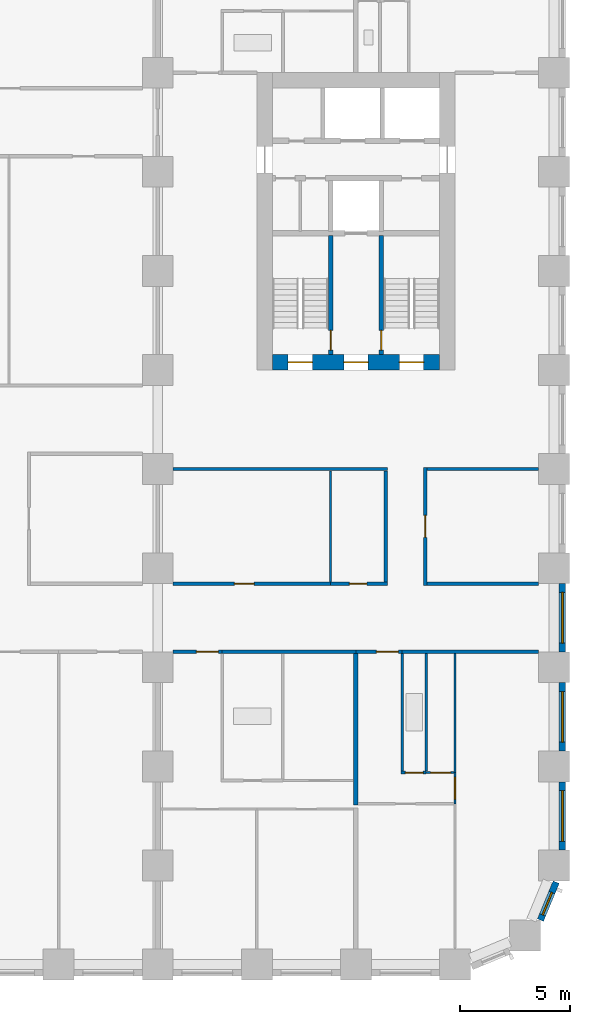
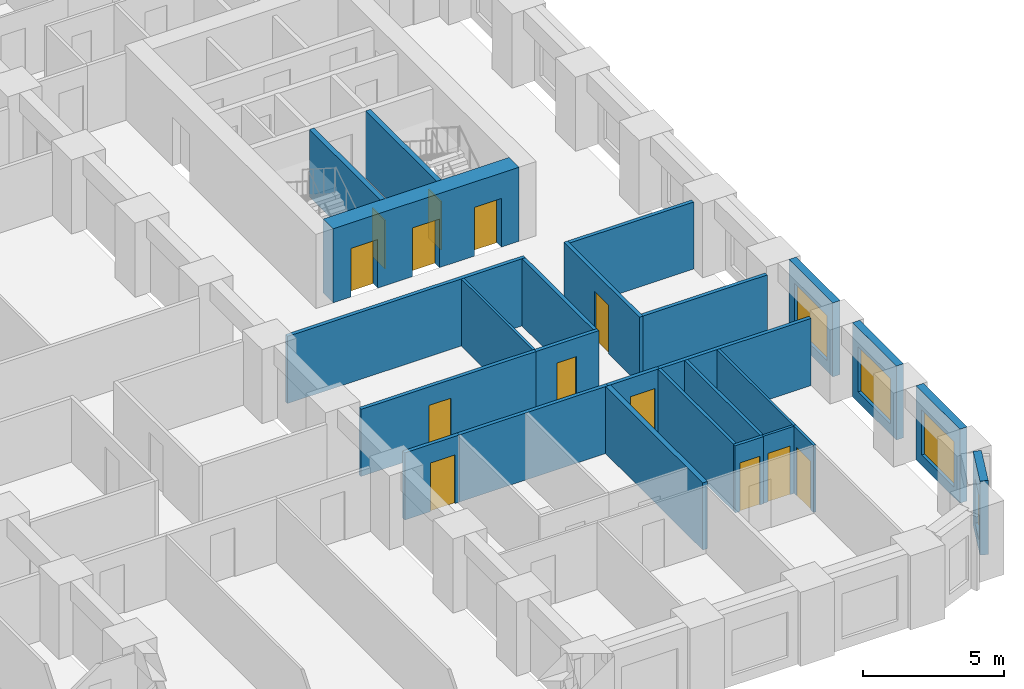
# One storey, part 5 of 12: 26 walls, 13 doors, 4 windows, 17 openings.
"""IFC4 building model written with IfcOpenShell, lengths in metres."""

from ifc_helpers import new_model, si_unit, direction, frame, frame_2d, origin, place, context, subcontext, project, spatial, rectangle, extrude, material, layer, layer_set, type_object, element, fill, save


model = new_model("IFC4")

# Units and contexts
model_context = context("Model", 3, precision=1e-05, world=origin(), true_north=direction((0.0, 1.0)))
body_context = subcontext(model_context, "Body", "Model", "MODEL_VIEW")
ifc_project = project(units=[si_unit("LENGTHUNIT", "METRE"), si_unit("AREAUNIT", "SQUARE_METRE"), si_unit("VOLUMEUNIT", "CUBIC_METRE"), si_unit("PLANEANGLEUNIT", "RADIAN"), si_unit("MASSUNIT", "GRAM", prefix="KILO")], contexts=[model_context])

# Site, building, storey
site_placement = place(None, origin())
site = spatial("IfcSite", under=ifc_project, at=site_placement, CompositionType="ELEMENT")
building_placement = place(site_placement, origin())
building = spatial("IfcBuilding", under=site, at=building_placement, Name="Girih Gate Residences", CompositionType="ELEMENT")
storey_placement = place(building_placement, frame((0.0, 0.0, 36.800048828125)))
storey = spatial("IfcBuildingStorey", under=building, at=storey_placement, Name="L08", CompositionType="ELEMENT", Elevation=36.800048828125)

# Wall
ifc_material_1 = material(Name="Gypsum board on steel studs", Category="steel")
ifc_layer_1 = layer(ifc_material_1, 0.14990234375)
ifc_layer_set_1 = layer_set([ifc_layer_1], Name="Compartment wall 150 mm")
wall_type_1 = type_object("IfcWallType", Name="Compartment wall 150 mm", PredefinedType="PARTITIONING", material=ifc_layer_set_1)
wall_1_placement = place(storey_placement, frame((42.60009765625, 14.199951171875, 0.0), z_axis=(0.0, 0.0, 1.0), x_axis=(1.0, 0.0, 0.0)))
element("IfcWall", 1, at=wall_1_placement, inside=storey, type_object=wall_type_1, Name="L08 partition", PredefinedType="PARTITIONING", context=body_context, shape_type="SweptSolid", body=[
    extrude(rectangle(XDim=6.199951171875, YDim=0.14990234375, at=frame_2d((3.10009765625, 0.0))), origin(), (0.0, 0.0, 1.0), 2.89990234375),
])

# Wall, opening, door
wall_2_placement = place(storey_placement, frame((42.60009765625, 14.199951171875, 0.0), z_axis=(0.0, 0.0, 1.0), x_axis=(-1.0, 0.0, 0.0)))
wall_2 = element("IfcWall", 2, at=wall_2_placement, inside=storey, type_object=wall_type_1, Name="L08 partition", PredefinedType="PARTITIONING", context=body_context, shape_type="SweptSolid", body=[
    extrude(rectangle(XDim=2.10009765625, YDim=0.14990234375, at=frame_2d((1.050048828125, 0.0))), origin(), (0.0, 0.0, 1.0), 2.89990234375),
])
opening_1_placement = place(wall_2_placement, frame((0.175048828125, 0.0, 0.0)))
opening_1 = element("IfcOpeningElement", 3, at=opening_1_placement, cuts=wall_2, Name="Opening A08-019", PredefinedType="OPENING", context=body_context, shape_type="SweptSolid", body=[
    extrude(rectangle(XDim=1.0, YDim=2.10009765625, at=frame_2d((0.5, 1.050048828125))), frame((0.0, 0.0849609375, 0.0), z_axis=(0.0, -1.0, 0.0), x_axis=(1.0, 0.0, 0.0)), (0.0, 0.0, 1.0), 0.169921875),
])
ifc_material_2 = material(Name="Timber, fire-rated core", Category="wood")
door_type_1 = type_object("IfcDoorType", Name="Flat entrance door 1000x2100 FD30S", OperationType="NOTDEFINED", PredefinedType="DOOR", material=ifc_material_2)
door_1_placement = place(opening_1_placement, origin())
door_1 = element("IfcDoor", 4, at=door_1_placement, inside=storey, type_object=door_type_1, Name="Door A08-019", OperationType="SINGLE_SWING_LEFT", OverallHeight=2.10009765625, OverallWidth=1.0, PredefinedType="DOOR", context=body_context, shape_type="SweptSolid", body=[
    extrude(rectangle(XDim=1.0, YDim=2.10009765625, at=frame_2d((0.5, 1.050048828125))), frame((0.0, 0.02490234375, 0.0), z_axis=(0.0, -1.0, 0.0), x_axis=(1.0, 0.0, 0.0)), (0.0, 0.0, 1.0), 0.050048828125),
])
fill(opening_1, door_1)

# Wall
wall_3_placement = place(storey_placement, frame((34.425048828125, 14.199951171875, 0.0), z_axis=(0.0, 0.0, 1.0), x_axis=(1.0, 0.0, 0.0)))
element("IfcWall", 5, at=wall_3_placement, inside=storey, type_object=wall_type_1, Name="L08 partition", PredefinedType="PARTITIONING", context=body_context, shape_type="SweptSolid", body=[
    extrude(rectangle(XDim=6.074951171875, YDim=0.14990234375, at=frame_2d((3.03759765625, 0.0))), origin(), (0.0, 0.0, 1.0), 2.89990234375),
])

# Wall, opening, door
wall_4_placement = place(storey_placement, frame((34.425048828125, 14.199951171875, 0.0), z_axis=(0.0, 0.0, 1.0), x_axis=(-1.0, 0.0, 0.0)))
wall_4 = element("IfcWall", 6, at=wall_4_placement, inside=storey, type_object=wall_type_1, Name="L08 partition", PredefinedType="PARTITIONING", context=body_context, shape_type="SweptSolid", body=[
    extrude(rectangle(XDim=2.22509765625, YDim=0.14990234375, at=frame_2d((1.112548828125, 0.0))), origin(), (0.0, 0.0, 1.0), 2.89990234375),
])
opening_2_placement = place(wall_4_placement, frame((0.175048828125, 0.0, 0.0)))
opening_2 = element("IfcOpeningElement", 7, at=opening_2_placement, cuts=wall_4, Name="Opening A08-024", PredefinedType="OPENING", context=body_context, shape_type="SweptSolid", body=[
    extrude(rectangle(XDim=1.0, YDim=2.10009765625, at=frame_2d((0.5, 1.050048828125))), frame((0.0, 0.0849609375, 0.0), z_axis=(0.0, -1.0, 0.0), x_axis=(1.0, 0.0, 0.0)), (0.0, 0.0, 1.0), 0.169921875),
])
door_2_placement = place(opening_2_placement, origin())
door_2 = element("IfcDoor", 8, at=door_2_placement, inside=storey, type_object=door_type_1, Name="Door A08-024", OperationType="SINGLE_SWING_LEFT", OverallHeight=2.10009765625, OverallWidth=1.0, PredefinedType="DOOR", context=body_context, shape_type="SweptSolid", body=[
    extrude(rectangle(XDim=1.0, YDim=2.10009765625, at=frame_2d((0.5, 1.050048828125))), frame((0.0, 0.02490234375, 0.0), z_axis=(0.0, -1.0, 0.0), x_axis=(1.0, 0.0, 0.0)), (0.0, 0.0, 1.0), 0.050048828125),
])
fill(opening_2, door_2)

wall_5_placement = place(storey_placement, frame((32.199951171875, 17.300048828125, 0.0), z_axis=(0.0, 0.0, 1.0), x_axis=(1.0, 0.0, 0.0)))
wall_5 = element("IfcWall", 9, at=wall_5_placement, inside=storey, type_object=wall_type_1, Name="L08 partition", PredefinedType="PARTITIONING", context=body_context, shape_type="SweptSolid", body=[
    extrude(rectangle(XDim=7.150146484375, YDim=0.14990234375, at=frame_2d((3.5751953125, 0.0))), origin(), (0.0, 0.0, 1.0), 2.89990234375),
])
opening_3_placement = place(wall_5_placement, frame((2.77490234375, 0.0, 0.0)))
opening_3 = element("IfcOpeningElement", 10, at=opening_3_placement, cuts=wall_5, Name="Opening A08-045", PredefinedType="OPENING", context=body_context, shape_type="SweptSolid", body=[
    extrude(rectangle(XDim=0.89990234375, YDim=2.10009765625, at=frame_2d((0.449951171875, 1.050048828125))), frame((0.0, 0.0849609375, 0.0), z_axis=(0.0, -1.0, 0.0), x_axis=(1.0, 0.0, 0.0)), (0.0, 0.0, 1.0), 0.169921875),
])
ifc_material_3 = material(Name="Timber", Category="wood")
door_type_2 = type_object("IfcDoorType", Name="Service room door 900x2100", OperationType="NOTDEFINED", PredefinedType="DOOR", material=ifc_material_3)
door_3_placement = place(opening_3_placement, origin())
door_3 = element("IfcDoor", 11, at=door_3_placement, inside=storey, type_object=door_type_2, Name="Door A08-045", OperationType="SINGLE_SWING_LEFT", OverallHeight=2.10009765625, OverallWidth=0.89990234375, PredefinedType="DOOR", context=body_context, shape_type="SweptSolid", body=[
    extrude(rectangle(XDim=0.89990234375, YDim=2.10009765625, at=frame_2d((0.449951171875, 1.050048828125))), frame((0.0, 0.02490234375, 0.0), z_axis=(0.0, -1.0, 0.0), x_axis=(1.0, 0.0, 0.0)), (0.0, 0.0, 1.0), 0.050048828125),
])
fill(opening_3, door_3)

wall_6_placement = place(storey_placement, frame((39.35009765625, 17.300048828125, 0.0), z_axis=(0.0, 0.0, 1.0), x_axis=(1.0, 0.0, 0.0)))
wall_6 = element("IfcWall", 12, at=wall_6_placement, inside=storey, type_object=wall_type_1, Name="L08 partition", PredefinedType="PARTITIONING", context=body_context, shape_type="SweptSolid", body=[
    extrude(rectangle(XDim=2.574951171875, YDim=0.14990234375, at=frame_2d((1.28759765625, 0.0))), origin(), (0.0, 0.0, 1.0), 2.89990234375),
])
opening_4_placement = place(wall_6_placement, frame((0.85009765625, 0.0, 0.0)))
opening_4 = element("IfcOpeningElement", 13, at=opening_4_placement, cuts=wall_6, Name="Opening A08-047", PredefinedType="OPENING", context=body_context, shape_type="SweptSolid", body=[
    extrude(rectangle(XDim=0.800048828125, YDim=2.10009765625, at=frame_2d((0.39990234375, 1.050048828125))), frame((0.0, 0.0849609375, 0.0), z_axis=(0.0, -1.0, 0.0), x_axis=(1.0, 0.0, 0.0)), (0.0, 0.0, 1.0), 0.169921875),
])
door_type_3 = type_object("IfcDoorType", Name="Bathroom door 800x2100", OperationType="NOTDEFINED", PredefinedType="DOOR", material=ifc_material_3)
door_4_placement = place(opening_4_placement, origin())
door_4 = element("IfcDoor", 14, at=door_4_placement, inside=storey, type_object=door_type_3, Name="Door A08-047", OperationType="SINGLE_SWING_LEFT", OverallHeight=2.10009765625, OverallWidth=0.800048828125, PredefinedType="DOOR", context=body_context, shape_type="SweptSolid", body=[
    extrude(rectangle(XDim=0.800048828125, YDim=2.10009765625, at=frame_2d((0.39990234375, 1.050048828125))), frame((0.0, 0.02490234375, 0.0), z_axis=(0.0, -1.0, 0.0), x_axis=(1.0, 0.0, 0.0)), (0.0, 0.0, 1.0), 0.050048828125),
])
fill(opening_4, door_4)

# Walls
wall_7_placement = place(storey_placement, frame((43.72509765625, 17.300048828125, 0.0), z_axis=(0.0, 0.0, 1.0), x_axis=(1.0, 0.0, 0.0)))
element("IfcWall", 15, at=wall_7_placement, inside=storey, type_object=wall_type_1, Name="L08 partition", PredefinedType="PARTITIONING", context=body_context, shape_type="SweptSolid", body=[
    extrude(rectangle(XDim=5.074951171875, YDim=0.14990234375, at=frame_2d((2.53759765625, 0.0))), origin(), (0.0, 0.0, 1.0), 2.89990234375),
])
wall_8_placement = place(storey_placement, frame((32.199951171875, 22.5, 0.0), z_axis=(0.0, 0.0, 1.0), x_axis=(1.0, 0.0, 0.0)))
element("IfcWall", 16, at=wall_8_placement, inside=storey, type_object=wall_type_1, Name="L08 partition", PredefinedType="PARTITIONING", context=body_context, shape_type="SweptSolid", body=[
    extrude(rectangle(XDim=9.72509765625, YDim=0.14990234375, at=frame_2d((4.862548828125, 0.0))), origin(), (0.0, 0.0, 1.0), 2.89990234375),
])
wall_9_placement = place(storey_placement, frame((43.72509765625, 22.5, 0.0), z_axis=(0.0, 0.0, 1.0), x_axis=(1.0, 0.0, 0.0)))
element("IfcWall", 17, at=wall_9_placement, inside=storey, type_object=wall_type_1, Name="L08 partition", PredefinedType="PARTITIONING", context=body_context, shape_type="SweptSolid", body=[
    extrude(rectangle(XDim=5.074951171875, YDim=0.14990234375, at=frame_2d((2.53759765625, 0.0))), origin(), (0.0, 0.0, 1.0), 2.89990234375),
])
wall_10_placement = place(storey_placement, frame((41.85009765625, 17.375, 0.0), z_axis=(0.0, 0.0, 1.0), x_axis=(0.0, 1.0, 0.0)))
element("IfcWall", 18, at=wall_10_placement, inside=storey, type_object=wall_type_1, Name="L08 partition", PredefinedType="PARTITIONING", context=body_context, shape_type="SweptSolid", body=[
    extrude(rectangle(XDim=5.050048828125, YDim=0.14990234375, at=frame_2d((2.52490234375, 0.0))), origin(), (0.0, 0.0, 1.0), 2.89990234375),
])

# Wall, opening, door
wall_11_placement = place(storey_placement, frame((43.64990234375, 22.574951171875, 0.0), z_axis=(0.0, 0.0, 1.0), x_axis=(0.0, -1.0, 0.0)))
wall_11 = element("IfcWall", 19, at=wall_11_placement, inside=storey, type_object=wall_type_1, Name="L08 partition", PredefinedType="PARTITIONING", context=body_context, shape_type="SweptSolid", body=[
    extrude(rectangle(XDim=5.349853515625, YDim=0.14990234375, at=frame_2d((2.6748046875, 0.0))), origin(), (0.0, 0.0, 1.0), 2.89990234375),
])
opening_5_placement = place(wall_11_placement, frame((2.175048828125, 0.0, 0.0)))
opening_5 = element("IfcOpeningElement", 20, at=opening_5_placement, cuts=wall_11, Name="Opening A08-049", PredefinedType="OPENING", context=body_context, shape_type="SweptSolid", body=[
    extrude(rectangle(XDim=1.0, YDim=2.10009765625, at=frame_2d((0.5, 1.050048828125))), frame((0.0, 0.0849609375, 0.0), z_axis=(0.0, -1.0, 0.0), x_axis=(1.0, 0.0, 0.0)), (0.0, 0.0, 1.0), 0.169921875),
])
door_type_4 = type_object("IfcDoorType", Name="Amenity room door 1000x2100 FD30S", OperationType="NOTDEFINED", PredefinedType="DOOR", material=ifc_material_2)
door_5_placement = place(opening_5_placement, origin())
door_5 = element("IfcDoor", 21, at=door_5_placement, inside=storey, type_object=door_type_4, Name="Door A08-049", OperationType="SINGLE_SWING_RIGHT", OverallHeight=2.10009765625, OverallWidth=1.0, PredefinedType="DOOR", context=body_context, shape_type="SweptSolid", body=[
    extrude(rectangle(XDim=1.0, YDim=2.10009765625, at=frame_2d((0.5, 1.050048828125))), frame((0.0, 0.02490234375, 0.0), z_axis=(0.0, -1.0, 0.0), x_axis=(1.0, 0.0, 0.0)), (0.0, 0.0, 1.0), 0.050048828125),
])
fill(opening_5, door_5)

# Wall, openings, doors
ifc_material_4 = material(Name="Concrete C60/75", Category="concrete")
ifc_layer_2 = layer(ifc_material_4, 0.699951171875)
ifc_layer_set_2 = layer_set([ifc_layer_2], Name="Core wall RC 700 Concrete C60/75")
wall_type_2 = type_object("IfcWallType", Name="Core wall RC 700 Concrete C60/75", PredefinedType="SOLIDWALL", material=ifc_layer_set_2)
wall_12_placement = place(storey_placement, frame((36.699951171875, 27.35009765625, 0.0), z_axis=(0.0, 0.0, 1.0), x_axis=(1.0, 0.0, 0.0)))
wall_12 = element("IfcWall", 22, at=wall_12_placement, inside=storey, type_object=wall_type_2, Name="Core wall E-S L08", PredefinedType="SOLIDWALL", context=body_context, shape_type="SweptSolid", body=[
    extrude(rectangle(XDim=7.60009765625, YDim=0.699951171875, at=frame_2d((3.800048828125, 0.0))), origin(), (0.0, 0.0, 1.0), 3.199951171875),
])
opening_6_placement = place(wall_12_placement, frame((5.77490234375, 0.0, 0.0)))
opening_6 = element("IfcOpeningElement", 23, at=opening_6_placement, cuts=wall_12, Name="Opening D-L08-E-010", PredefinedType="OPENING", context=body_context, shape_type="SweptSolid", body=[
    extrude(rectangle(XDim=1.10009765625, YDim=2.10009765625, at=frame_2d((0.550048828125, 1.050048828125))), frame((0.0, 0.35986328125, 0.0), z_axis=(0.0, -1.0, 0.0), x_axis=(1.0, 0.0, 0.0)), (0.0, 0.0, 1.0), 0.719970703125),
])
opening_7_placement = place(wall_12_placement, frame((3.25, 0.0, 0.0)))
opening_7 = element("IfcOpeningElement", 24, at=opening_7_placement, cuts=wall_12, Name="Opening D-L08-E-011", PredefinedType="OPENING", context=body_context, shape_type="SweptSolid", body=[
    extrude(rectangle(XDim=1.10009765625, YDim=2.10009765625, at=frame_2d((0.550048828125, 1.050048828125))), frame((0.0, 0.35986328125, 0.0), z_axis=(0.0, -1.0, 0.0), x_axis=(1.0, 0.0, 0.0)), (0.0, 0.0, 1.0), 0.719970703125),
])
opening_8_placement = place(wall_12_placement, frame((0.72509765625, 0.0, 0.0)))
opening_8 = element("IfcOpeningElement", 25, at=opening_8_placement, cuts=wall_12, Name="Opening D-L08-E-012", PredefinedType="OPENING", context=body_context, shape_type="SweptSolid", body=[
    extrude(rectangle(XDim=1.10009765625, YDim=2.10009765625, at=frame_2d((0.550048828125, 1.050048828125))), frame((0.0, 0.35986328125, 0.0), z_axis=(0.0, -1.0, 0.0), x_axis=(1.0, 0.0, 0.0)), (0.0, 0.0, 1.0), 0.719970703125),
])
ifc_material_5 = material(Name="Painted steel, fire-resisting", Category="steel")
door_type_5 = type_object("IfcDoorType", Name="Fire door 1100x2100", OperationType="SINGLE_SWING_LEFT", PredefinedType="DOOR", material=ifc_material_5)
door_6_placement = place(opening_6_placement, origin())
door_6 = element("IfcDoor", 26, at=door_6_placement, inside=storey, type_object=door_type_5, Name="L08 E core door sta-out", OperationType="SINGLE_SWING_LEFT", OverallHeight=2.10009765625, OverallWidth=1.10009765625, PredefinedType="DOOR", context=body_context, shape_type="SweptSolid", body=[
    extrude(rectangle(XDim=1.10009765625, YDim=2.10009765625, at=frame_2d((0.550048828125, 1.050048828125))), frame((0.0, 0.02490234375, 0.0), z_axis=(0.0, -1.0, 0.0), x_axis=(1.0, 0.0, 0.0)), (0.0, 0.0, 1.0), 0.050048828125),
])
fill(opening_6, door_6)
door_7_placement = place(opening_7_placement, origin())
door_7 = element("IfcDoor", 27, at=door_7_placement, inside=storey, type_object=door_type_5, Name="L08 E core door ffl-out", OperationType="SINGLE_SWING_LEFT", OverallHeight=2.10009765625, OverallWidth=1.10009765625, PredefinedType="DOOR", context=body_context, shape_type="SweptSolid", body=[
    extrude(rectangle(XDim=1.10009765625, YDim=2.10009765625, at=frame_2d((0.550048828125, 1.050048828125))), frame((0.0, 0.02490234375, 0.0), z_axis=(0.0, -1.0, 0.0), x_axis=(1.0, 0.0, 0.0)), (0.0, 0.0, 1.0), 0.050048828125),
])
fill(opening_7, door_7)
door_8_placement = place(opening_8_placement, origin())
door_8 = element("IfcDoor", 28, at=door_8_placement, inside=storey, type_object=door_type_5, Name="L08 E core door stb-out", OperationType="SINGLE_SWING_LEFT", OverallHeight=2.10009765625, OverallWidth=1.10009765625, PredefinedType="DOOR", context=body_context, shape_type="SweptSolid", body=[
    extrude(rectangle(XDim=1.10009765625, YDim=2.10009765625, at=frame_2d((0.550048828125, 1.050048828125))), frame((0.0, 0.02490234375, 0.0), z_axis=(0.0, -1.0, 0.0), x_axis=(1.0, 0.0, 0.0)), (0.0, 0.0, 1.0), 0.050048828125),
])
fill(opening_8, door_8)

# Wall, opening, door
ifc_layer_3 = layer(ifc_material_1, 0.10009765625)
ifc_layer_set_3 = layer_set([ifc_layer_3], Name="Partition 100 mm")
wall_type_3 = type_object("IfcWallType", Name="Partition 100 mm", PredefinedType="PARTITIONING", material=ifc_layer_set_3)
wall_13_placement = place(storey_placement, frame((43.69091796875, 8.719970703125, 0.0), z_axis=(0.0, 0.0, 1.0), x_axis=(1.0, 0.0, 0.0)))
wall_13 = element("IfcWall", 29, at=wall_13_placement, inside=storey, type_object=wall_type_3, Name="L08 partition", PredefinedType="PARTITIONING", context=body_context, shape_type="SweptSolid", body=[
    extrude(rectangle(XDim=1.259033203125, YDim=0.10009765625, at=frame_2d((0.62939453125, 0.0))), origin(), (0.0, 0.0, 1.0), 2.89990234375),
])
opening_9_placement = place(wall_13_placement, frame((0.20458984375, 0.0, 0.0)))
opening_9 = element("IfcOpeningElement", 30, at=opening_9_placement, cuts=wall_13, Name="Opening A08-017", PredefinedType="OPENING", context=body_context, shape_type="SweptSolid", body=[
    extrude(rectangle(XDim=0.89990234375, YDim=2.10009765625, at=frame_2d((0.449951171875, 1.050048828125))), frame((0.0, 0.06005859375, 0.0), z_axis=(0.0, -1.0, 0.0), x_axis=(1.0, 0.0, 0.0)), (0.0, 0.0, 1.0), 0.1201171875),
])
door_type_6 = type_object("IfcDoorType", Name="Kitchen door 900x2100", OperationType="NOTDEFINED", PredefinedType="DOOR", material=ifc_material_3)
door_9_placement = place(opening_9_placement, origin())
door_9 = element("IfcDoor", 31, at=door_9_placement, inside=storey, type_object=door_type_6, Name="Door A08-017", OperationType="SINGLE_SWING_RIGHT", OverallHeight=2.10009765625, OverallWidth=0.89990234375, PredefinedType="DOOR", context=body_context, shape_type="SweptSolid", body=[
    extrude(rectangle(XDim=0.89990234375, YDim=2.10009765625, at=frame_2d((0.449951171875, 1.050048828125))), frame((0.0, 0.02490234375, 0.0), z_axis=(0.0, -1.0, 0.0), x_axis=(1.0, 0.0, 0.0)), (0.0, 0.0, 1.0), 0.050048828125),
])
fill(opening_9, door_9)

wall_14_placement = place(storey_placement, frame((45.0, 8.719970703125, 0.0), z_axis=(0.0, 0.0, 1.0), x_axis=(0.0, -1.0, 0.0)))
wall_14 = element("IfcWall", 32, at=wall_14_placement, inside=storey, type_object=wall_type_3, Name="L08 partition", PredefinedType="PARTITIONING", context=body_context, shape_type="SweptSolid", body=[
    extrude(rectangle(XDim=1.419921875, YDim=0.10009765625, at=frame_2d((0.7099609375, 0.0))), origin(), (0.0, 0.0, 1.0), 2.89990234375),
])
opening_10_placement = place(wall_14_placement, frame((0.2099609375, 0.0, 0.0)))
opening_10 = element("IfcOpeningElement", 33, at=opening_10_placement, cuts=wall_14, Name="Opening A08-018", PredefinedType="OPENING", context=body_context, shape_type="SweptSolid", body=[
    extrude(rectangle(XDim=1.0, YDim=2.10009765625, at=frame_2d((0.5, 1.050048828125))), frame((0.0, 0.06005859375, 0.0), z_axis=(0.0, -1.0, 0.0), x_axis=(1.0, 0.0, 0.0)), (0.0, 0.0, 1.0), 0.1201171875),
])
door_type_7 = type_object("IfcDoorType", Name="Living room door 1000x2100", OperationType="NOTDEFINED", PredefinedType="DOOR", material=ifc_material_3)
door_10_placement = place(opening_10_placement, origin())
door_10 = element("IfcDoor", 34, at=door_10_placement, inside=storey, type_object=door_type_7, Name="Door A08-018", OperationType="SINGLE_SWING_RIGHT", OverallHeight=2.10009765625, OverallWidth=1.0, PredefinedType="DOOR", context=body_context, shape_type="SweptSolid", body=[
    extrude(rectangle(XDim=1.0, YDim=2.10009765625, at=frame_2d((0.5, 1.050048828125))), frame((0.0, 0.02490234375, 0.0), z_axis=(0.0, -1.0, 0.0), x_axis=(1.0, 0.0, 0.0)), (0.0, 0.0, 1.0), 0.050048828125),
])
fill(opening_10, door_10)

# Walls
wall_15_placement = place(storey_placement, frame((45.0, 8.719970703125, 0.0), z_axis=(0.0, 0.0, 1.0), x_axis=(0.0, 1.0, 0.0)))
element("IfcWall", 35, at=wall_15_placement, inside=storey, type_object=wall_type_3, Name="L08 partition", PredefinedType="PARTITIONING", context=body_context, shape_type="SweptSolid", body=[
    extrude(rectangle(XDim=5.405029296875, YDim=0.10009765625, at=frame_2d((2.70263671875, 0.0))), origin(), (0.0, 0.0, 1.0), 2.89990234375),
])
wall_16_placement = place(storey_placement, frame((39.35009765625, 17.375, 0.0), z_axis=(0.0, 0.0, 1.0), x_axis=(0.0, 1.0, 0.0)))
element("IfcWall", 36, at=wall_16_placement, inside=storey, type_object=wall_type_3, Name="L08 partition", PredefinedType="PARTITIONING", context=body_context, shape_type="SweptSolid", body=[
    extrude(rectangle(XDim=5.050048828125, YDim=0.10009765625, at=frame_2d((2.52490234375, 0.0))), origin(), (0.0, 0.0, 1.0), 2.89990234375),
])
ifc_layer_4 = layer(ifc_material_1, 0.199951171875)
ifc_layer_set_4 = layer_set([ifc_layer_4], Name="Party wall 200 mm")
wall_type_4 = type_object("IfcWallType", Name="Party wall 200 mm", PredefinedType="PARTITIONING", material=ifc_layer_set_4)
wall_17_placement = place(storey_placement, frame((40.5, 7.25, 0.0), z_axis=(0.0, 0.0, 1.0), x_axis=(0.0, 1.0, 0.0)))
element("IfcWall", 37, at=wall_17_placement, inside=storey, type_object=wall_type_4, Name="L08 partition", PredefinedType="PARTITIONING", context=body_context, shape_type="SweptSolid", body=[
    extrude(rectangle(XDim=6.875, YDim=0.199951171875, at=frame_2d((3.4375, 0.0))), origin(), (0.0, 0.0, 1.0), 2.89990234375),
])

# Wall, opening, window
ifc_material_6 = material(Name="Precast concrete C50/60", Category="concrete")
ifc_layer_5 = layer(ifc_material_6, 0.080078125, Name="Outer leaf")
ifc_material_7 = material(Name="Rigid PIR insulation")
ifc_layer_6 = layer(ifc_material_7, 0.14990234375, Name="Insulation")
ifc_material_8 = material(Name="Precast concrete C40/50", Category="concrete")
ifc_layer_7 = layer(ifc_material_8, 0.070068359375, Name="Inner leaf")
ifc_layer_set_5 = layer_set([ifc_layer_5, ifc_layer_6, ifc_layer_7], Name="Precast concrete C50/60 external wall 300")
wall_type_5 = type_object("IfcWallType", Name="Precast concrete C50/60 external wall 300", PredefinedType="SOLIDWALL", material=ifc_layer_set_5)
wall_18_placement = place(storey_placement, frame((49.59228515625, 3.74267578125, 0.0), z_axis=(0.0, 0.0, 1.0), x_axis=(-0.382737135771, -0.923857286003, 0.0)))
wall_18 = element("IfcWall", 38, at=wall_18_placement, inside=storey, type_object=wall_type_5, Name="External wall SE0482_0013.0", PredefinedType="SOLIDWALL", context=body_context, shape_type="SweptSolid", body=[
    extrude(rectangle(XDim=1.865234375, YDim=0.300048828125, at=frame_2d((0.9326171875, 0.0))), origin(), (0.0, 0.0, 1.0), 3.199951171875),
])
opening_11_placement = place(wall_18_placement, frame((0.507568359375, 0.0, 0.449951171875)))
opening_11 = element("IfcOpeningElement", 39, at=opening_11_placement, cuts=wall_18, Name="Opening W-2C", PredefinedType="OPENING", context=body_context, shape_type="SweptSolid", body=[
    extrude(rectangle(XDim=1.10009765625, YDim=1.949951171875, at=frame_2d((0.550048828125, 0.97509765625))), frame((0.0, 0.159912109375, 0.0), z_axis=(0.0, -1.0, 0.0), x_axis=(1.0, 0.0, 0.0)), (0.0, 0.0, 1.0), 0.320068359375),
])
ifc_material_9 = material(Name="Double glazing in aluminium frame", Category="aluminium")
window_type_1 = type_object("IfcWindowType", Name="Window W-2C 1100x1950", PartitioningType="SINGLE_PANEL", PredefinedType="WINDOW", material=ifc_material_9)
window_1_placement = place(opening_11_placement, origin())
window_1 = element("IfcWindow", 40, at=window_1_placement, inside=storey, type_object=window_type_1, Name="Window W-2C SE0482_0013.0", OverallHeight=1.949951171875, OverallWidth=1.10009765625, PartitioningType="SINGLE_PANEL", PredefinedType="WINDOW", context=body_context, shape_type="SweptSolid", body=[
    extrude(rectangle(XDim=1.10009765625, YDim=1.949951171875, at=frame_2d((0.550048828125, 0.97509765625))), frame((0.0, 0.030029296875, 0.0), z_axis=(0.0, -1.0, 0.0), x_axis=(1.0, 0.0, 0.0)), (0.0, 0.0, 1.0), 0.06005859375),
])
fill(opening_11, window_1)

wall_19_placement = place(storey_placement, frame((49.875, 8.300048828125, 0.0), z_axis=(0.0, 0.0, 1.0), x_axis=(0.0, -1.0, 0.0)))
wall_19 = element("IfcWall", 41, at=wall_19_placement, inside=storey, type_object=wall_type_5, Name="External wall E0495_0045.0", PredefinedType="SOLIDWALL", context=body_context, shape_type="SweptSolid", body=[
    extrude(rectangle(XDim=3.10009765625, YDim=0.300048828125, at=frame_2d((1.550048828125, 0.0))), origin(), (0.0, 0.0, 1.0), 3.199951171875),
])
opening_12_placement = place(wall_19_placement, frame((0.39990234375, 0.0, 0.449951171875)))
opening_12 = element("IfcOpeningElement", 42, at=opening_12_placement, cuts=wall_19, Name="Opening W-1", PredefinedType="OPENING", context=body_context, shape_type="SweptSolid", body=[
    extrude(rectangle(XDim=2.300048828125, YDim=1.949951171875, at=frame_2d((1.14990234375, 0.97509765625))), frame((0.0, 0.159912109375, 0.0), z_axis=(0.0, -1.0, 0.0), x_axis=(1.0, 0.0, 0.0)), (0.0, 0.0, 1.0), 0.320068359375),
])
window_type_2 = type_object("IfcWindowType", Name="Window W-1 2300x1950", PartitioningType="SINGLE_PANEL", PredefinedType="WINDOW", material=ifc_material_9)
window_2_placement = place(opening_12_placement, origin())
window_2 = element("IfcWindow", 43, at=window_2_placement, inside=storey, type_object=window_type_2, Name="Window W-1 E0495_0045.0", OverallHeight=1.949951171875, OverallWidth=2.300048828125, PartitioningType="SINGLE_PANEL", PredefinedType="WINDOW", context=body_context, shape_type="SweptSolid", body=[
    extrude(rectangle(XDim=2.300048828125, YDim=1.949951171875, at=frame_2d((1.14990234375, 0.97509765625))), frame((0.0, 0.030029296875, 0.0), z_axis=(0.0, -1.0, 0.0), x_axis=(1.0, 0.0, 0.0)), (0.0, 0.0, 1.0), 0.06005859375),
])
fill(opening_12, window_2)

wall_20_placement = place(storey_placement, frame((49.875, 12.800048828125, 0.0), z_axis=(0.0, 0.0, 1.0), x_axis=(0.0, -1.0, 0.0)))
wall_20 = element("IfcWall", 44, at=wall_20_placement, inside=storey, type_object=wall_type_5, Name="External wall E0495_0045.1", PredefinedType="SOLIDWALL", context=body_context, shape_type="SweptSolid", body=[
    extrude(rectangle(XDim=3.10009765625, YDim=0.300048828125, at=frame_2d((1.550048828125, 0.0))), origin(), (0.0, 0.0, 1.0), 3.199951171875),
])
opening_13_placement = place(wall_20_placement, frame((0.39990234375, 0.0, 0.449951171875)))
opening_13 = element("IfcOpeningElement", 45, at=opening_13_placement, cuts=wall_20, Name="Opening W-1", PredefinedType="OPENING", context=body_context, shape_type="SweptSolid", body=[
    extrude(rectangle(XDim=2.300048828125, YDim=1.949951171875, at=frame_2d((1.14990234375, 0.97509765625))), frame((0.0, 0.159912109375, 0.0), z_axis=(0.0, -1.0, 0.0), x_axis=(1.0, 0.0, 0.0)), (0.0, 0.0, 1.0), 0.320068359375),
])
window_3_placement = place(opening_13_placement, origin())
window_3 = element("IfcWindow", 46, at=window_3_placement, inside=storey, type_object=window_type_2, Name="Window W-1 E0495_0045.1", OverallHeight=1.949951171875, OverallWidth=2.300048828125, PartitioningType="SINGLE_PANEL", PredefinedType="WINDOW", context=body_context, shape_type="SweptSolid", body=[
    extrude(rectangle(XDim=2.300048828125, YDim=1.949951171875, at=frame_2d((1.14990234375, 0.97509765625))), frame((0.0, 0.030029296875, 0.0), z_axis=(0.0, -1.0, 0.0), x_axis=(1.0, 0.0, 0.0)), (0.0, 0.0, 1.0), 0.06005859375),
])
fill(opening_13, window_3)

wall_21_placement = place(storey_placement, frame((49.875, 17.300048828125, 0.0), z_axis=(0.0, 0.0, 1.0), x_axis=(0.0, -1.0, 0.0)))
wall_21 = element("IfcWall", 47, at=wall_21_placement, inside=storey, type_object=wall_type_5, Name="External wall E0495_0045.2", PredefinedType="SOLIDWALL", context=body_context, shape_type="SweptSolid", body=[
    extrude(rectangle(XDim=3.10009765625, YDim=0.300048828125, at=frame_2d((1.550048828125, 0.0))), origin(), (0.0, 0.0, 1.0), 3.199951171875),
])
opening_14_placement = place(wall_21_placement, frame((0.39990234375, 0.0, 0.449951171875)))
opening_14 = element("IfcOpeningElement", 48, at=opening_14_placement, cuts=wall_21, Name="Opening W-1", PredefinedType="OPENING", context=body_context, shape_type="SweptSolid", body=[
    extrude(rectangle(XDim=2.300048828125, YDim=1.949951171875, at=frame_2d((1.14990234375, 0.97509765625))), frame((0.0, 0.159912109375, 0.0), z_axis=(0.0, -1.0, 0.0), x_axis=(1.0, 0.0, 0.0)), (0.0, 0.0, 1.0), 0.320068359375),
])
window_4_placement = place(opening_14_placement, origin())
window_4 = element("IfcWindow", 49, at=window_4_placement, inside=storey, type_object=window_type_2, Name="Window W-1 E0495_0045.2", OverallHeight=1.949951171875, OverallWidth=2.300048828125, PartitioningType="SINGLE_PANEL", PredefinedType="WINDOW", context=body_context, shape_type="SweptSolid", body=[
    extrude(rectangle(XDim=2.300048828125, YDim=1.949951171875, at=frame_2d((1.14990234375, 0.97509765625))), frame((0.0, 0.030029296875, 0.0), z_axis=(0.0, -1.0, 0.0), x_axis=(1.0, 0.0, 0.0)), (0.0, 0.0, 1.0), 0.06005859375),
])
fill(opening_14, window_4)

# Wall, opening, door
ifc_material_10 = material(Name="Concrete C40/50", Category="concrete")
ifc_layer_8 = layer(ifc_material_10, 0.199951171875)
ifc_layer_set_6 = layer_set([ifc_layer_8], Name="Shaft wall 200")
wall_type_6 = type_object("IfcWallType", Name="Shaft wall 200", PredefinedType="SOLIDWALL", material=ifc_layer_set_6)
wall_22_placement = place(storey_placement, frame((41.64990234375, 27.699951171875, 0.0), z_axis=(0.0, 0.0, 1.0), x_axis=(0.0, 1.0, 0.0)))
wall_22 = element("IfcWall", 50, at=wall_22_placement, inside=storey, type_object=wall_type_6, Name="L08 E core wall V1a", PredefinedType="SOLIDWALL", context=body_context, shape_type="SweptSolid", body=[
    extrude(rectangle(XDim=5.400146484375, YDim=0.199951171875, at=frame_2d((2.7001953125, 0.0))), origin(), (0.0, 0.0, 1.0), 2.89990234375),
])
opening_15_placement = place(wall_22_placement, frame((0.199951171875, 0.0, 0.0)))
opening_15 = element("IfcOpeningElement", 51, at=opening_15_placement, cuts=wall_22, Name="Opening D-L08-E-001", PredefinedType="OPENING", context=body_context, shape_type="SweptSolid", body=[
    extrude(rectangle(XDim=0.89990234375, YDim=2.10009765625, at=frame_2d((0.449951171875, 1.050048828125))), frame((0.0, 0.10986328125, 0.0), z_axis=(0.0, -1.0, 0.0), x_axis=(1.0, 0.0, 0.0)), (0.0, 0.0, 1.0), 0.219970703125),
])
door_type_8 = type_object("IfcDoorType", Name="Fire door 900x2100", OperationType="SINGLE_SWING_LEFT", PredefinedType="DOOR", material=ifc_material_5)
door_11_placement = place(opening_15_placement, origin())
door_11 = element("IfcDoor", 52, at=door_11_placement, inside=storey, type_object=door_type_8, Name="L08 E door stair 1 to firefighting lobby", OperationType="SINGLE_SWING_LEFT", OverallHeight=2.10009765625, OverallWidth=0.89990234375, PredefinedType="DOOR", context=body_context, shape_type="SweptSolid", body=[
    extrude(rectangle(XDim=0.89990234375, YDim=2.10009765625, at=frame_2d((0.449951171875, 1.050048828125))), frame((0.0, 0.02490234375, 0.0), z_axis=(0.0, -1.0, 0.0), x_axis=(1.0, 0.0, 0.0)), (0.0, 0.0, 1.0), 0.050048828125),
])
fill(opening_15, door_11)

wall_23_placement = place(storey_placement, frame((39.35009765625, 27.699951171875, 0.0), z_axis=(0.0, 0.0, 1.0), x_axis=(0.0, 1.0, 0.0)))
wall_23 = element("IfcWall", 53, at=wall_23_placement, inside=storey, type_object=wall_type_6, Name="L08 E core wall V2a", PredefinedType="SOLIDWALL", context=body_context, shape_type="SweptSolid", body=[
    extrude(rectangle(XDim=5.400146484375, YDim=0.199951171875, at=frame_2d((2.7001953125, 0.0))), origin(), (0.0, 0.0, 1.0), 2.89990234375),
])
opening_16_placement = place(wall_23_placement, frame((0.199951171875, 0.0, 0.0)))
opening_16 = element("IfcOpeningElement", 54, at=opening_16_placement, cuts=wall_23, Name="Opening D-L08-E-002", PredefinedType="OPENING", context=body_context, shape_type="SweptSolid", body=[
    extrude(rectangle(XDim=0.89990234375, YDim=2.10009765625, at=frame_2d((0.449951171875, 1.050048828125))), frame((0.0, 0.10986328125, 0.0), z_axis=(0.0, -1.0, 0.0), x_axis=(1.0, 0.0, 0.0)), (0.0, 0.0, 1.0), 0.219970703125),
])
door_12_placement = place(opening_16_placement, origin())
door_12 = element("IfcDoor", 55, at=door_12_placement, inside=storey, type_object=door_type_8, Name="L08 E door stair 2 to firefighting lobby", OperationType="SINGLE_SWING_LEFT", OverallHeight=2.10009765625, OverallWidth=0.89990234375, PredefinedType="DOOR", context=body_context, shape_type="SweptSolid", body=[
    extrude(rectangle(XDim=0.89990234375, YDim=2.10009765625, at=frame_2d((0.449951171875, 1.050048828125))), frame((0.0, 0.02490234375, 0.0), z_axis=(0.0, -1.0, 0.0), x_axis=(1.0, 0.0, 0.0)), (0.0, 0.0, 1.0), 0.050048828125),
])
fill(opening_16, door_12)

ifc_layer_9 = layer(ifc_material_1, 0.125)
ifc_layer_set_7 = layer_set([ifc_layer_9], Name="Wet room wall 125 mm")
wall_type_7 = type_object("IfcWallType", Name="Wet room wall 125 mm", PredefinedType="PARTITIONING", material=ifc_layer_set_7)
wall_24_placement = place(storey_placement, frame((42.53759765625, 8.719970703125, 0.0), z_axis=(0.0, 0.0, 1.0), x_axis=(1.0, 0.0, 0.0)))
wall_24 = element("IfcWall", 56, at=wall_24_placement, inside=storey, type_object=wall_type_7, Name="L08 partition", PredefinedType="PARTITIONING", context=body_context, shape_type="SweptSolid", body=[
    extrude(rectangle(XDim=1.1533203125, YDim=0.125, at=frame_2d((0.57666015625, 0.0))), origin(), (0.0, 0.0, 1.0), 2.89990234375),
])
opening_17_placement = place(wall_24_placement, frame((0.2080078125, 0.0, 0.0)))
opening_17 = element("IfcOpeningElement", 57, at=opening_17_placement, cuts=wall_24, Name="Opening A08-015", PredefinedType="OPENING", context=body_context, shape_type="SweptSolid", body=[
    extrude(rectangle(XDim=0.800048828125, YDim=2.10009765625, at=frame_2d((0.39990234375, 1.050048828125))), frame((0.0, 0.072509765625, 0.0), z_axis=(0.0, -1.0, 0.0), x_axis=(1.0, 0.0, 0.0)), (0.0, 0.0, 1.0), 0.14501953125),
])
door_13_placement = place(opening_17_placement, origin())
door_13 = element("IfcDoor", 58, at=door_13_placement, inside=storey, type_object=door_type_3, Name="Door A08-015", OperationType="SINGLE_SWING_RIGHT", OverallHeight=2.10009765625, OverallWidth=0.800048828125, PredefinedType="DOOR", context=body_context, shape_type="SweptSolid", body=[
    extrude(rectangle(XDim=0.800048828125, YDim=2.10009765625, at=frame_2d((0.39990234375, 1.050048828125))), frame((0.0, 0.02490234375, 0.0), z_axis=(0.0, -1.0, 0.0), x_axis=(1.0, 0.0, 0.0)), (0.0, 0.0, 1.0), 0.050048828125),
])
fill(opening_17, door_13)

# Walls
for number, where, z_axis, x_axis, name in (
    (59, (42.60009765625, 8.782470703125, 0.0), (0.0, 0.0, 1.0), (0.0, 1.0, 0.0), "L08 partition"),
    (60, (43.69091796875, 8.782470703125, 0.0), (0.0, 0.0, 1.0), (0.0, 1.0, 0.0), "L08 partition"),
):
    element("IfcWall", number, at=place(storey_placement, frame(where, z_axis=z_axis, x_axis=x_axis)), inside=storey, type_object=wall_type_7, Name=name, PredefinedType="PARTITIONING", context=body_context, shape_type="SweptSolid", body=[
        extrude(rectangle(XDim=5.342529296875, YDim=0.125, at=frame_2d((2.67138671875, 0.0))), origin(), (0.0, 0.0, 1.0), 2.89990234375),
    ])

save(model, "model.ifc")
